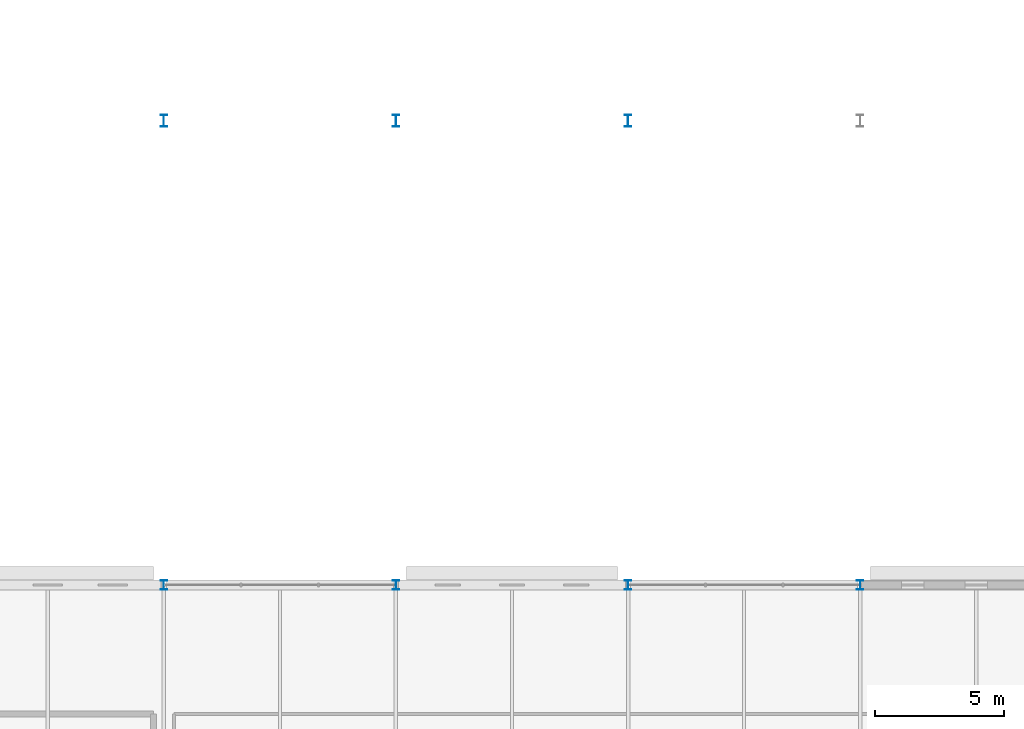
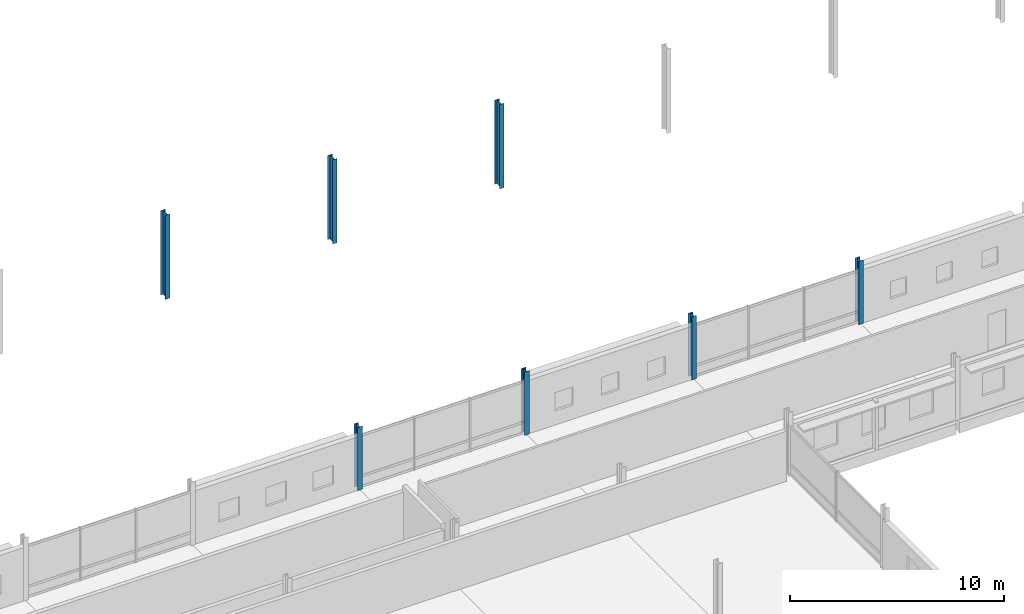
# One storey, part 15 of 132: 7 columns.
"""IFC4 building model written with IfcOpenShell, lengths in metres."""

from ifc_helpers import new_model, si_unit, direction, frame, origin, origin_2d, place, context, subcontext, project, spatial, i_section, extrude, material, material_profile, profile_set, type_object, element, save


model = new_model("IFC4")

# Units and contexts
model_context = context("Model", 3, precision=1e-05, world=origin(), true_north=direction((0.0, 1.0)))
body_context = subcontext(model_context, "Body", "Model", "MODEL_VIEW")
ifc_project = project(units=[si_unit("LENGTHUNIT", "METRE"), si_unit("AREAUNIT", "SQUARE_METRE"), si_unit("VOLUMEUNIT", "CUBIC_METRE"), si_unit("PLANEANGLEUNIT", "RADIAN"), si_unit("MASSUNIT", "GRAM", prefix="KILO")], contexts=[model_context])

# Site, building, storey
site_placement = place(None, origin())
site = spatial("IfcSite", under=ifc_project, at=site_placement, CompositionType="ELEMENT")
building_placement = place(site_placement, origin())
building = spatial("IfcBuilding", under=site, at=building_placement, Name="Tharagai Park Tramway Depot", CompositionType="ELEMENT")
storey_placement = place(building_placement, frame((0.0, 0.0, 4.800048828125)))
storey = spatial("IfcBuildingStorey", under=building, at=storey_placement, Name="L01", CompositionType="ELEMENT", Elevation=4.800048828125)

# Columns
ifc_material = material(Name="Steel E350", Category="steel")
ifc_material_profile_1 = material_profile(ifc_material, i_section(OverallWidth=0.25, OverallDepth=0.449951171875, WebThickness=0.01123046875, FlangeThickness=0.013671875, FilletRadius=0.014892578125, at=origin_2d()), Name="ISHB 450")
ifc_profile_set_1 = profile_set([ifc_material_profile_1], Name="Steel E350")
column_type_1 = type_object("IfcColumnType", Name="CL-01", PredefinedType="COLUMN", material=ifc_profile_set_1)
for number, where, z_axis, x_axis, name in (
    (1, (72.0, 117.0, 0.0), (0.0, 0.0, 1.0), (1.0, 0.0, 0.0), "Shed Stanchion CL-01 (72,117)"),
    (2, (81.0, 117.0, 0.0), (0.0, 0.0, 1.0), (1.0, 0.0, 0.0), "Shed Stanchion CL-01 (81,117)"),
    (3, (90.0, 117.0, 0.0), (0.0, 0.0, 1.0), (1.0, 0.0, 0.0), "Shed Stanchion CL-01 (90,117)"),
):
    element("IfcColumn", number, at=place(storey_placement, frame(where, z_axis=z_axis, x_axis=x_axis)), inside=storey, type_object=column_type_1, Name=name, PredefinedType="COLUMN", context=body_context, shape_type="SweptSolid", body=[
        extrude(i_section(OverallWidth=0.25, OverallDepth=0.449951171875, WebThickness=0.01123046875, FlangeThickness=0.013671875, FilletRadius=0.014892578125, at=origin_2d()), origin(), (0.0, 0.0, 1.0), 4.800048828125),
    ])
ifc_material_profile_2 = material_profile(ifc_material, i_section(OverallWidth=0.25, OverallDepth=0.35009765625, WebThickness=0.010009765625, FlangeThickness=0.01171875, FilletRadius=0.011962890625, at=origin_2d()), Name="ISHB 350")
ifc_profile_set_2 = profile_set([ifc_material_profile_2], Name="Steel E350")
column_type_2 = type_object("IfcColumnType", Name="CL-09", PredefinedType="COLUMN", material=ifc_profile_set_2)
for number, where, z_axis, x_axis, name in (
    (4, (72.0, 99.0, 0.0), (0.0, 0.0, 1.0), (1.0, 0.0, 0.0), "L01 Structural Column CL-09 (72,99)"),
    (5, (81.0, 99.0, 0.0), (0.0, 0.0, 1.0), (1.0, 0.0, 0.0), "L01 Structural Column CL-09 (81,99)"),
    (6, (90.0, 99.0, 0.0), (0.0, 0.0, 1.0), (1.0, 0.0, 0.0), "L01 Structural Column CL-09 (90,99)"),
    (7, (99.0, 99.0, 0.0), (0.0, 0.0, 1.0), (1.0, 0.0, 0.0), "L01 Structural Column CL-09 (99,99)"),
):
    element("IfcColumn", number, at=place(storey_placement, frame(where, z_axis=z_axis, x_axis=x_axis)), inside=storey, type_object=column_type_2, Name=name, PredefinedType="COLUMN", context=body_context, shape_type="SweptSolid", body=[
        extrude(i_section(OverallWidth=0.25, OverallDepth=0.35009765625, WebThickness=0.010009765625, FlangeThickness=0.01171875, FilletRadius=0.011962890625, at=origin_2d()), origin(), (0.0, 0.0, 1.0), 3.599853515625),
    ])

save(model, "model.ifc")
